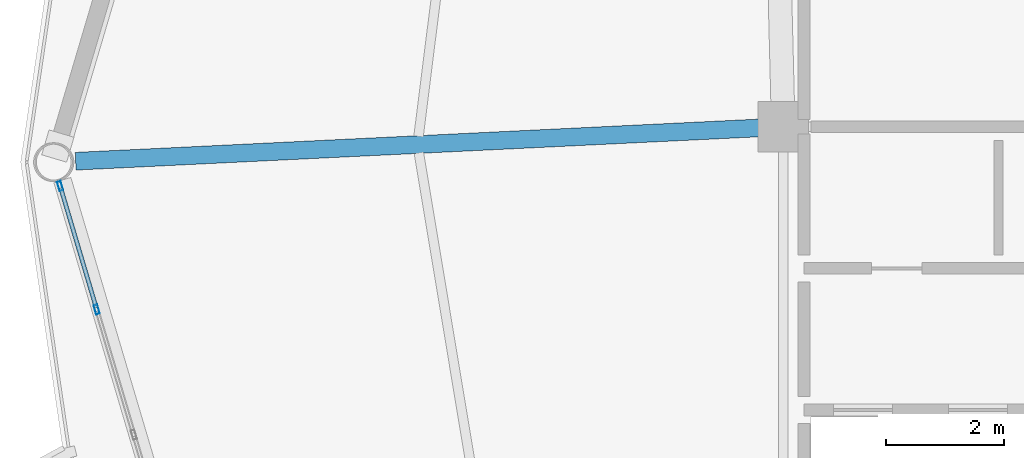
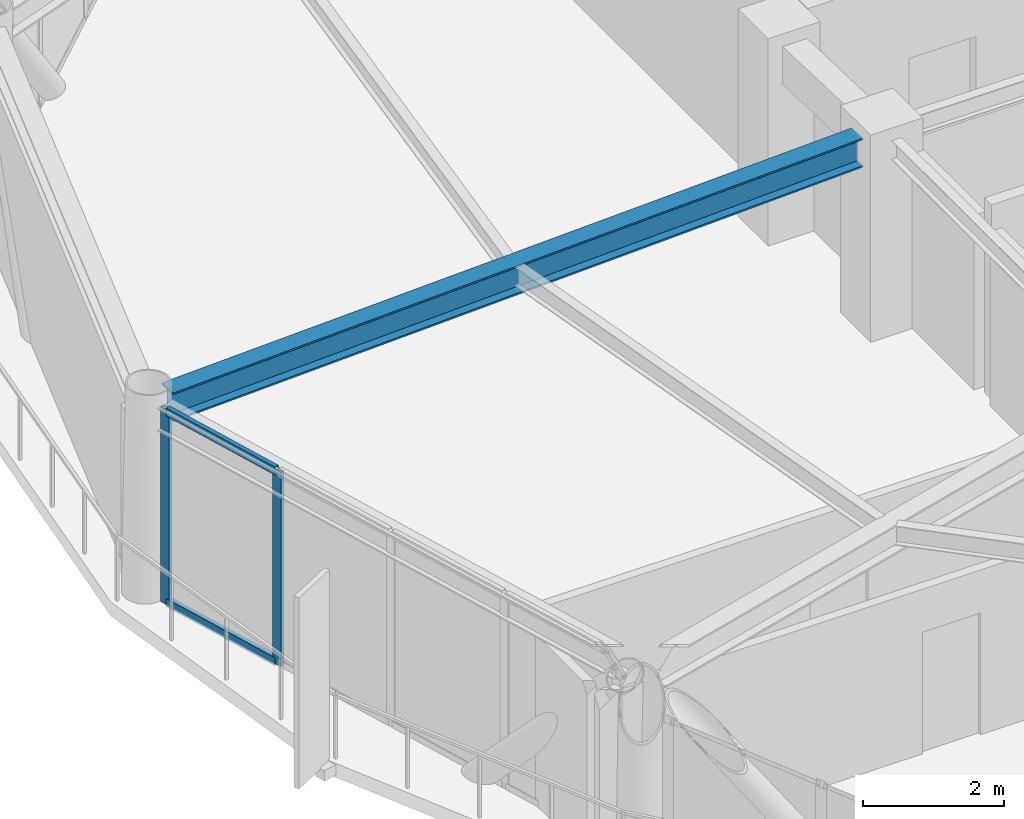
# One storey, part 12 of 29: 4 members, 1 beam, 1 element without a shape of its own.
"""IFC4 building model written with IfcOpenShell, lengths in metres."""

from ifc_helpers import new_model, si_unit, direction, frame, origin, origin_2d, place, context, subcontext, project, spatial, hollow_rectangle, i_section, extrude, material, layer, layer_set, material_profile, profile_set, type_object, element, aggregate, save


model = new_model("IFC4")

# Units and contexts
model_context = context("Model", 3, precision=1e-05, world=origin(), true_north=direction((0.0, 1.0)))
body_context = subcontext(model_context, "Body", "Model", "MODEL_VIEW")
ifc_project = project(units=[si_unit("LENGTHUNIT", "METRE"), si_unit("AREAUNIT", "SQUARE_METRE"), si_unit("VOLUMEUNIT", "CUBIC_METRE"), si_unit("PLANEANGLEUNIT", "RADIAN"), si_unit("MASSUNIT", "GRAM", prefix="KILO")], contexts=[model_context])

# Site, building, storey
site_placement = place(None, origin())
site = spatial("IfcSite", under=ifc_project, at=site_placement, CompositionType="ELEMENT")
building_placement = place(site_placement, origin())
building = spatial("IfcBuilding", under=site, at=building_placement, Name="Varnakorn Sky Granary", CompositionType="ELEMENT")
storey_placement = place(building_placement, frame((0.0, 0.0, 189.60009765625)))
storey = spatial("IfcBuildingStorey", under=building, at=storey_placement, Name="L47", CompositionType="ELEMENT", Elevation=189.60009765625)

# Beam
ifc_material_1 = material(Name="Steel S355JR", Category="steel")
ifc_material_profile_1 = material_profile(ifc_material_1, i_section(OverallWidth=0.300048828125, OverallDepth=0.5, WebThickness=0.014404296875, FlangeThickness=0.028076171875, at=origin_2d()), Name="HE 500 B")
ifc_profile_set_1 = profile_set([ifc_material_profile_1], Name="Steel S355JR")
beam_type = type_object("IfcBeamType", Name="BM-RAD-Z4", PredefinedType="BEAM", material=ifc_profile_set_1)
beam_placement = place(storey_placement, frame((-2.75439453125, 0.580322265625, 3.10986328125), z_axis=(-0.998814547351, -0.048677510216, 0.0), x_axis=(0.048677510216, -0.998814547351, 0.0)))
element("IfcBeam", 1, at=beam_placement, inside=storey, type_object=beam_type, Name="Radial Floor Girder RG07 L47", PredefinedType="BEAM", context=body_context, shape_type="SweptSolid", body=[
    extrude(i_section(OverallWidth=0.300048828125, OverallDepth=0.5, WebThickness=0.014404296875, FlangeThickness=0.028076171875, at=origin_2d()), origin(), (0.0, 0.0, 1.0), 11.605712890625),
])

# Curtain wall, members
ifc_material_2 = material(Name="Anodised Bronze Aluminium Alloy 6063-T6", Category="aluminium")
ifc_layer = layer(ifc_material_2, 0.169921875, Name="Anodised Bronze Aluminium Alloy 6063-T6")
ifc_layer_set = layer_set([ifc_layer], Name="Anodised Bronze Aluminium Alloy 6063-T6")
curtain_wall_type = type_object("IfcCurtainWallType", Name="CW-LAB-1", PredefinedType="USERDEFINED", material=ifc_layer_set)
curtain_wall_placement = place(storey_placement, origin())
curtain_wall = element("IfcCurtainWall", 2, at=curtain_wall_placement, inside=storey, type_object=curtain_wall_type, Name="Unitised Curtain Wall CW5 CW-L47-B07", ObjectType="CURTAIN WALL", PredefinedType="USERDEFINED")
ifc_material_profile_2 = material_profile(ifc_material_2, hollow_rectangle(XDim=0.06494140625, YDim=0.159912109375, WallThickness=0.00341796875, at=origin_2d()), Name="ALU MULL 65x160")
ifc_profile_set_2 = profile_set([ifc_material_profile_2], Name="Anodised Bronze Aluminium Alloy 6063-T6")
member_type_1 = type_object("IfcMemberType", Name="CW-LAB-1-MULL", PredefinedType="MULLION", material=ifc_profile_set_2)
member_1_placement = place(storey_placement, frame((-13.988525390625, -2.4970703125, 0.0), z_axis=(0.0, 0.0, 1.0), x_axis=(-0.958736816121, -0.284295123796, 0.0)))
member_1 = element("IfcMember", 3, at=member_1_placement, type_object=member_type_1, Name="CW5 mullion 4", PredefinedType="MULLION", context=body_context, shape_type="SweptSolid", body=[
    extrude(hollow_rectangle(XDim=0.06494140625, YDim=0.159912109375, WallThickness=0.00341796875, at=origin_2d()), origin(), (0.0, 0.0, 1.0), 3.35986328125),
])
member_2_placement = place(storey_placement, frame((-14.60888671875, -0.405029296875, 0.0), z_axis=(0.0, 0.0, 1.0), x_axis=(-0.958736816121, -0.284295123796, 0.0)))
member_2 = element("IfcMember", 4, at=member_2_placement, type_object=member_type_1, Name="CW5 mullion 5", PredefinedType="MULLION", context=body_context, shape_type="SweptSolid", body=[
    extrude(hollow_rectangle(XDim=0.06494140625, YDim=0.159912109375, WallThickness=0.00341796875, at=origin_2d()), origin(), (0.0, 0.0, 1.0), 3.35986328125),
])
ifc_material_profile_3 = material_profile(ifc_material_2, hollow_rectangle(XDim=0.070068359375, YDim=0.139892578125, WallThickness=0.00341796875, at=origin_2d()), Name="ALU TRAN 70x140")
ifc_profile_set_3 = profile_set([ifc_material_profile_3], Name="Anodised Bronze Aluminium Alloy 6063-T6")
member_type_2 = type_object("IfcMemberType", Name="CW-LAB-1-TRAN", PredefinedType="USERDEFINED", material=ifc_profile_set_3)
member_3_placement = place(storey_placement, frame((-13.997802734375, -2.4658203125, 0.034912109375), z_axis=(-0.284288587665, 0.958738754262, 0.0), x_axis=(-0.958738754262, -0.284288587665, 0.0)))
member_3 = element("IfcMember", 5, at=member_3_placement, type_object=member_type_2, Name="CW5 transom 4.1", ObjectType="TRANSOM", PredefinedType="USERDEFINED", context=body_context, shape_type="SweptSolid", body=[
    extrude(hollow_rectangle(XDim=0.070068359375, YDim=0.139892578125, WallThickness=0.00341796875, at=origin_2d()), origin(), (0.0, 0.0, 1.0), 2.116943359375),
])
member_4_placement = place(storey_placement, frame((-13.997802734375, -2.4658203125, 3.324951171875), z_axis=(-0.284288587665, 0.958738754262, 0.0), x_axis=(-0.958738754262, -0.284288587665, 0.0)))
member_4 = element("IfcMember", 6, at=member_4_placement, type_object=member_type_2, Name="CW5 transom 4.2", ObjectType="TRANSOM", PredefinedType="USERDEFINED", context=body_context, shape_type="SweptSolid", body=[
    extrude(hollow_rectangle(XDim=0.070068359375, YDim=0.139892578125, WallThickness=0.00341796875, at=origin_2d()), origin(), (0.0, 0.0, 1.0), 2.116943359375),
])
aggregate(curtain_wall, [member_1, member_2, member_3, member_4])

save(model, "model.ifc")
